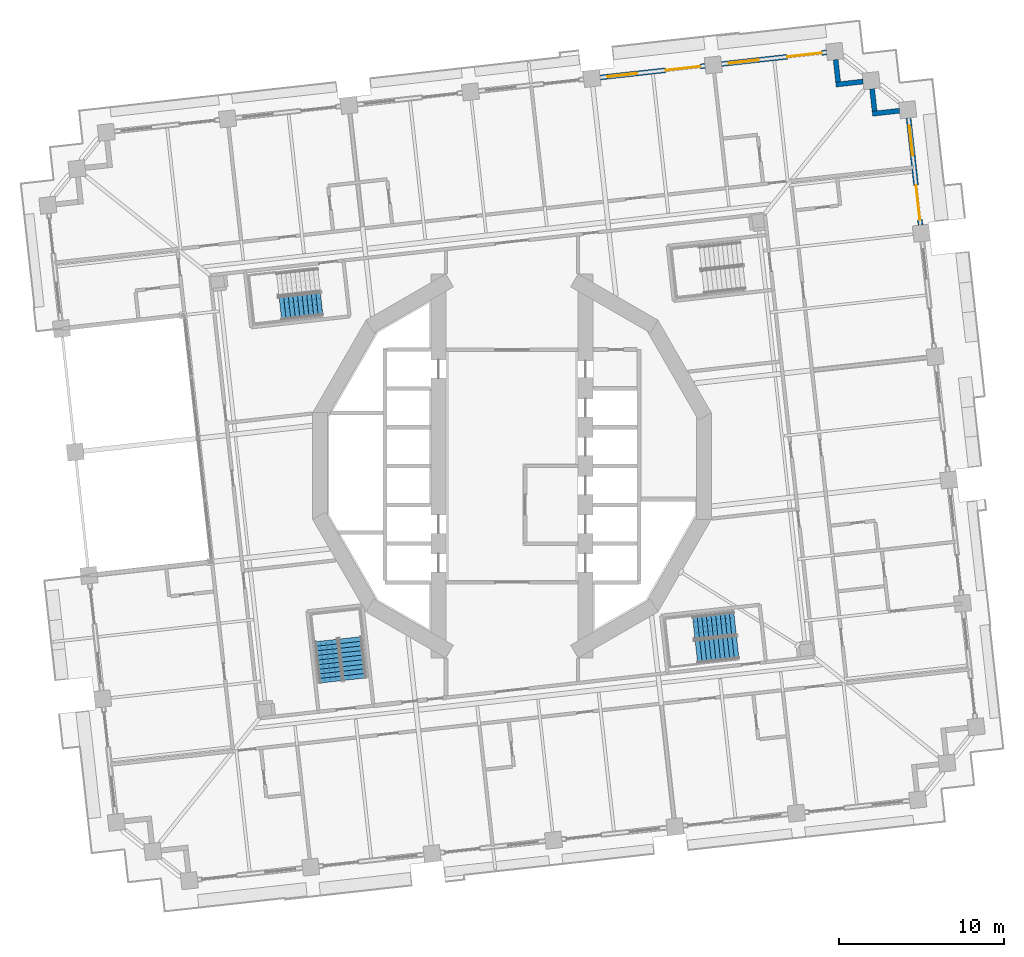
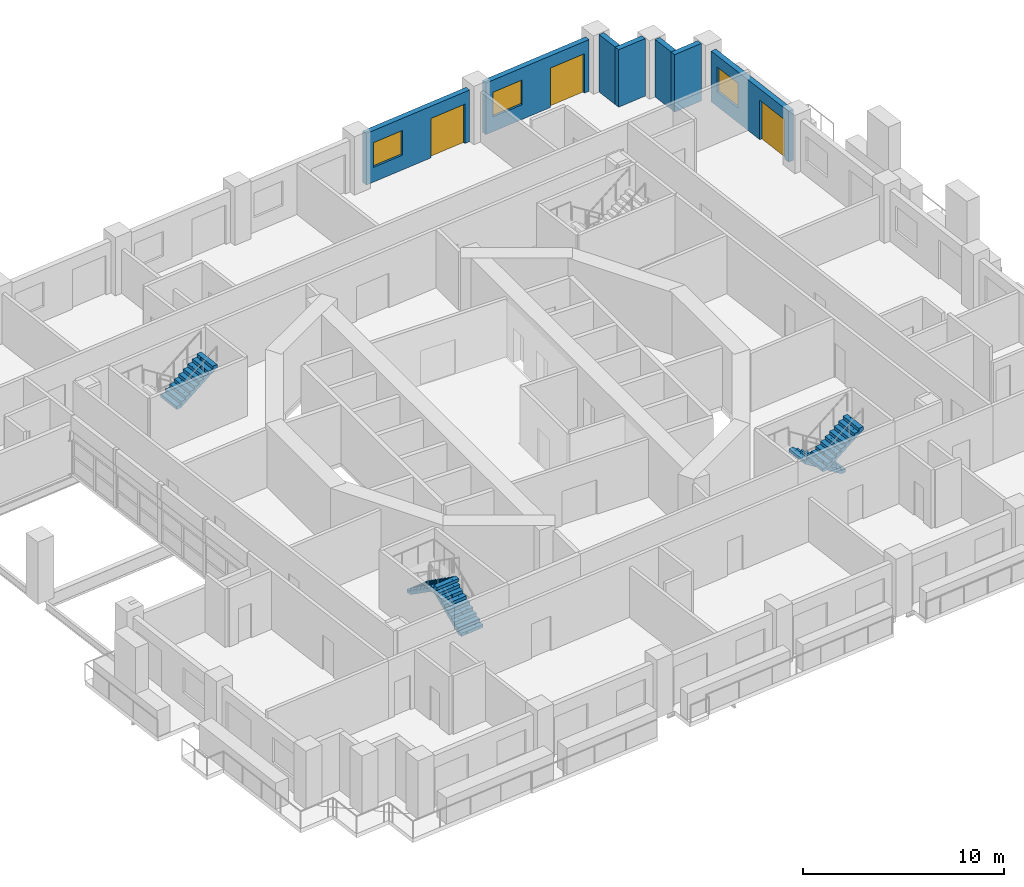
# One storey, part 13 of 21: 7 walls, 5 stair flights, 3 doors, 3 windows, 6 openings, 3 elements without a shape of their own.
"""IFC4 building model written with IfcOpenShell, lengths in metres."""

import ifcopenshell
import ifcopenshell.guid

model = None  # the IFC model being written
_history = None  # IfcOwnerHistory: only IFC2X3 demands one
_inside = {}  # id of a spatial element -> (the spatial element, [elements in it])
_under = {}  # id of a project, library or spatial element -> (it, [spatial elements below it])
_declared = {}  # id of a project -> (the project, [libraries it declares])
_typed = {}  # id of a type object -> (the type object, [elements of that type])
_made_of = {}  # id of a material, layer set ... -> (it, [elements and type objects made of it])


def new_model(schema):
    """Start an empty IFC model of exactly this schema.

    Asked for "IFC4X3", IfcOpenShell would pick the latest addendum, in which some entities
    have other attributes; the version numbers below select the first issue.
    IFC2X3 requires an IfcOwnerHistory on every rooted entity: one is made here for all.
    """
    global model, _history
    if schema == "IFC4X3":
        model = ifcopenshell.file(schema_version=(4, 3, 0, 0))
    else:
        model = ifcopenshell.file(schema=schema)
    _inside.clear()
    _under.clear()
    _declared.clear()
    _typed.clear()
    _made_of.clear()
    _history = None
    if model.schema == "IFC2X3":
        org = make("IfcOrganization", Name="unknown")
        user = make(
            "IfcPersonAndOrganization",
            ThePerson=make("IfcPerson", FamilyName="unknown"),
            TheOrganization=org,
        )
        app = make(
            "IfcApplication",
            ApplicationDeveloper=org,
            Version="unknown",
            ApplicationFullName="unknown",
            ApplicationIdentifier="unknown",
        )
        _history = make(
            "IfcOwnerHistory",
            OwningUser=user,
            OwningApplication=app,
            ChangeAction="ADDED",
            CreationDate=0,
        )
    return model


def make(cls, **values):
    """One entity of the class cls with the attributes given. An attribute that is None is left unset."""
    return model.create_entity(
        cls, **{name: value for name, value in values.items() if value is not None}
    )


def rooted(cls, **values):
    """An entity with a GlobalId (a new one), such as an element, a storey or a relation."""
    return make(cls, GlobalId=ifcopenshell.guid.new(), OwnerHistory=_history, **values)


def si_unit(unit_type, name, prefix=None):
    """IfcSIUnit, for example si_unit("LENGTHUNIT", "METRE", prefix="MILLI")."""
    return make("IfcSIUnit", UnitType=unit_type, Prefix=prefix, Name=name)


def assignment(units):
    """IfcUnitAssignment: the units of a project."""
    return None if units is None else make("IfcUnitAssignment", Units=units)


def point(xyz):
    """IfcCartesianPoint."""
    return None if xyz is None else make("IfcCartesianPoint", Coordinates=xyz)


def direction(xyz):
    """IfcDirection."""
    return None if xyz is None else make("IfcDirection", DirectionRatios=xyz)


def frame(location, z_axis=None, x_axis=None):
    """IfcAxis2Placement3D, a coordinate frame: its origin and axes. An axis left out is left unset."""
    return make(
        "IfcAxis2Placement3D",
        Location=point(location),
        Axis=direction(z_axis),
        RefDirection=direction(x_axis),
    )


def frame_2d(location, x_axis=None):
    """IfcAxis2Placement2D, a coordinate frame in the plane: its origin and x axis."""
    return make(
        "IfcAxis2Placement2D", Location=point(location), RefDirection=direction(x_axis)
    )


def origin():
    """The frame at (0, 0, 0) with its axes left unset."""
    return frame((0.0, 0.0, 0.0))


def place(relative_to, where):
    """IfcLocalPlacement: puts the frame where relative to a parent placement (None: the world)."""
    return make(
        "IfcLocalPlacement", PlacementRelTo=relative_to, RelativePlacement=where
    )


def context(
    kind, dimensions, precision=None, world=None, true_north=None, identifier=None
):
    """IfcGeometricRepresentationContext, for example the 3D "Model" context."""
    return make(
        "IfcGeometricRepresentationContext",
        ContextIdentifier=identifier,
        ContextType=kind,
        CoordinateSpaceDimension=dimensions,
        Precision=precision,
        WorldCoordinateSystem=world,
        TrueNorth=true_north,
    )


def subcontext(parent, identifier, kind, view, scale=None):
    """IfcGeometricRepresentationSubContext, for example "Body" below "Model"."""
    return make(
        "IfcGeometricRepresentationSubContext",
        ContextIdentifier=identifier,
        ContextType=kind,
        ParentContext=parent,
        TargetScale=scale,
        TargetView=view,
    )


def project(units=None, contexts=None):
    """IfcProject with its units and contexts."""
    return rooted(
        "IfcProject",
        Name="project",
        RepresentationContexts=contexts,
        UnitsInContext=assignment(units),
    )


def spatial(cls, under=None, at=None, **own):
    """A site, building, storey or space (cls), placed at a placement, below another one or the project."""
    s = rooted(cls, ObjectPlacement=at, **own)
    if under is not None:
        _under.setdefault(under.id(), (under, []))[1].append(s)
    return s


def polyline(points):
    """IfcPolyline through the points."""
    return make("IfcPolyline", Points=[point(p) for p in points])


def profile(cls, at=None, kind="AREA", **sizes):
    """A parametric profile (cls). Its sizes go by their IFC names, for example OverallWidth=200.0."""
    return make(cls, ProfileType=kind, Position=at, **sizes)


def rectangle(**sizes):
    """IfcRectangleProfileDef."""
    return profile("IfcRectangleProfileDef", **sizes)


def outline(outer, holes=None, kind="AREA"):
    """IfcArbitraryClosedProfileDef: a profile drawn as a closed curve; with holes, ...WithVoids."""
    if holes is None:
        return make("IfcArbitraryClosedProfileDef", ProfileType=kind, OuterCurve=outer)
    return make(
        "IfcArbitraryProfileDefWithVoids",
        ProfileType=kind,
        OuterCurve=outer,
        InnerCurves=holes,
    )


def extrude(swept, where, along, depth):
    """IfcExtrudedAreaSolid: the profile swept, set in the frame where, extruded along a direction by depth."""
    return make(
        "IfcExtrudedAreaSolid",
        SweptArea=swept,
        Position=where,
        ExtrudedDirection=direction(along),
        Depth=depth,
    )


def shape(context_of_items, identifier, shape_type, items):
    """IfcShapeRepresentation: the items that make up one representation, for example the "Body"."""
    return make(
        "IfcShapeRepresentation",
        ContextOfItems=context_of_items,
        RepresentationIdentifier=identifier,
        RepresentationType=shape_type,
        Items=items,
    )


def material(Name=None, Category=None):
    """IfcMaterial."""
    return make("IfcMaterial", Name=Name, Category=Category)


def layer(
    of_material, thickness, ventilated=None, Name=None, Category=None, Priority=None
):
    """IfcMaterialLayer: one layer of a wall or slab, of a material (None: an air gap)."""
    return make(
        "IfcMaterialLayer",
        Material=of_material,
        LayerThickness=thickness,
        IsVentilated=ventilated,
        Name=Name,
        Category=Category,
        Priority=Priority,
    )


def layer_set(layers, Name=None):
    """IfcMaterialLayerSet."""
    return make("IfcMaterialLayerSet", MaterialLayers=layers, LayerSetName=Name)


def made_of(thing, what):
    """Note that an element or type object is made of a material, layer set ...; save() writes the relation."""
    if what is not None:
        _made_of.setdefault(what.id(), (what, []))[1].append(thing)
    return thing


def type_object(cls, material=None, **own):
    """A type object (cls), such as IfcWallType, which elements share."""
    return made_of(rooted(cls, **own), material)


def element(
    cls,
    number,
    at=None,
    inside=None,
    cuts=None,
    type_object=None,
    material=None,
    context=None,
    identifier="Body",
    shape_type=None,
    held_by="IfcProductDefinitionShape",
    body=None,
    shapes=None,
    **own,
):
    """One element of the class cls, such as IfcWall. Its Tag is "e" and its number.

    at: its placement. inside: the storey or other place that contains it. cuts: it is an
    opening in that element (IfcRelVoidsElement). A single representation is given by context,
    identifier, shape_type and body (its items); several are given by shapes. held_by: the class
    of the entity that holds the representations. save() writes the other relations.
    """
    e = rooted(cls, Tag="e%d" % number, ObjectPlacement=at, **own)
    if body is not None:
        shapes = [shape(context, identifier, shape_type, body)]
    if shapes is not None:
        e.Representation = make(held_by, Representations=shapes)
    if inside is not None:
        _inside.setdefault(inside.id(), (inside, []))[1].append(e)
    if cuts is not None:
        rooted(
            "IfcRelVoidsElement", RelatingBuildingElement=cuts, RelatedOpeningElement=e
        )
    if type_object is not None:
        _typed.setdefault(type_object.id(), (type_object, []))[1].append(e)
    return made_of(e, material)


def fill(opening, filler):
    """IfcRelFillsElement: the door or window that sits in an opening."""
    return rooted(
        "IfcRelFillsElement",
        RelatingOpeningElement=opening,
        RelatedBuildingElement=filler,
    )


def aggregate(whole, parts):
    """IfcRelAggregates: a whole, such as a stair, and the parts it consists of."""
    return rooted("IfcRelAggregates", RelatingObject=whole, RelatedObjects=parts)


def save(model, path):
    """Write the relations noted so far, then the file.

    IfcRelAggregates (storeys below a building ...), IfcRelContainedInSpatialStructure (elements
    in a storey), IfcRelDefinesByType, IfcRelAssociatesMaterial and IfcRelDeclares: one each for
    every whole, place, type object, material and project.
    """
    for whole, parts in _under.values():
        aggregate(whole, parts)
    for where, things in _inside.values():
        rooted(
            "IfcRelContainedInSpatialStructure",
            RelatedElements=things,
            RelatingStructure=where,
        )
    for kind, things in _typed.values():
        rooted("IfcRelDefinesByType", RelatedObjects=things, RelatingType=kind)
    for what, things in _made_of.values():
        rooted("IfcRelAssociatesMaterial", RelatedObjects=things, RelatingMaterial=what)
    for by, libraries in _declared.values():
        rooted("IfcRelDeclares", RelatingContext=by, RelatedDefinitions=libraries)
    model.write(path)


model = new_model("IFC4")

# Units and contexts
model_context = context("Model", 3, precision=1e-05, world=origin(), true_north=direction((0.0, 1.0)))
body_context = subcontext(model_context, "Body", "Model", "MODEL_VIEW")
ifc_project = project(units=[si_unit("LENGTHUNIT", "METRE"), si_unit("AREAUNIT", "SQUARE_METRE"), si_unit("VOLUMEUNIT", "CUBIC_METRE"), si_unit("PLANEANGLEUNIT", "RADIAN"), si_unit("MASSUNIT", "GRAM", prefix="KILO")], contexts=[model_context])

# Site, building, storey
site_placement = place(None, origin())
site = spatial("IfcSite", under=ifc_project, at=site_placement, CompositionType="ELEMENT")
building_placement = place(site_placement, origin())
building = spatial("IfcBuilding", under=site, at=building_placement, Name="Cantera Rosa Tower", CompositionType="ELEMENT")
storey_placement = place(building_placement, frame((0.0, 0.0, 72.89990234375)))
storey = spatial("IfcBuildingStorey", under=building, at=storey_placement, Name="L15", CompositionType="ELEMENT", Elevation=72.89990234375)

# Walls
ifc_material_1 = material(Name="Hollow clay masonry with cantera stone cladding", Category="masonry")
ifc_layer_1 = layer(ifc_material_1, 0.300048828125)
ifc_layer_set_1 = layer_set([ifc_layer_1], Name="EW-LOGGIA 300")
wall_type_1 = type_object("IfcWallType", Name="EW-LOGGIA 300", PredefinedType="SOLIDWALL", material=ifc_layer_set_1)
wall_1_placement = place(storey_placement, frame((23.46923828125, 21.520263671875, 0.0), z_axis=(0.0, 0.0, 1.0), x_axis=(-0.993905369514, -0.110236638423, 0.0)))
element("IfcWall", 1, at=wall_1_placement, inside=storey, type_object=wall_type_1, Name="EN-L15-W06a", PredefinedType="SOLIDWALL", context=body_context, shape_type="SweptSolid", body=[
    extrude(rectangle(XDim=1.64990234375, YDim=0.300048828125, at=frame_2d((0.824951171875, 0.0))), origin(), (0.0, 0.0, 1.0), 3.5),
])
wall_2_placement = place(storey_placement, frame((21.9619140625, 21.50390625, 0.0), z_axis=(0.0, 0.0, 1.0), x_axis=(-0.110312435488, 0.993896959738, 0.0)))
element("IfcWall", 2, at=wall_2_placement, inside=storey, type_object=wall_type_1, Name="EN-L15-W06b", PredefinedType="SOLIDWALL", context=body_context, shape_type="SweptSolid", body=[
    extrude(rectangle(XDim=1.35009765625, YDim=0.300048828125, at=frame_2d((0.675048828125, 0.0))), origin(), (0.0, 0.0, 1.0), 3.5),
])
wall_3_placement = place(storey_placement, frame((21.2607421875, 23.287353515625, 0.0), z_axis=(0.0, 0.0, 1.0), x_axis=(-0.993905369514, -0.110236638423, 0.0)))
element("IfcWall", 3, at=wall_3_placement, inside=storey, type_object=wall_type_1, Name="EN-L15-W07a", PredefinedType="SOLIDWALL", context=body_context, shape_type="SweptSolid", body=[
    extrude(rectangle(XDim=1.64990234375, YDim=0.300048828125, at=frame_2d((0.824951171875, 0.0))), origin(), (0.0, 0.0, 1.0), 3.5),
])
wall_4_placement = place(storey_placement, frame((19.75341796875, 23.27099609375, 0.0), z_axis=(0.0, 0.0, 1.0), x_axis=(-0.110312435488, 0.993896959738, 0.0)))
element("IfcWall", 4, at=wall_4_placement, inside=storey, type_object=wall_type_1, Name="EN-L15-W07b", PredefinedType="SOLIDWALL", context=body_context, shape_type="SweptSolid", body=[
    extrude(rectangle(XDim=1.35009765625, YDim=0.300048828125, at=frame_2d((0.675048828125, 0.0))), origin(), (0.0, 0.0, 1.0), 3.5),
])

# Wall, openings, window, door
ifc_material_2 = material(Name="Hollow clay masonry with cantera stone cladding", Category="masonry")
ifc_layer_2 = layer(ifc_material_2, 0.300048828125)
ifc_layer_set_2 = layer_set([ifc_layer_2], Name="EW-LOGGIA 300 H3090")
wall_type_2 = type_object("IfcWallType", Name="EW-LOGGIA 300 H3090", PredefinedType="SOLIDWALL", material=ifc_layer_set_2)
wall_5_placement = place(storey_placement, frame((24.74072265625, 14.598388671875, 0.0), z_axis=(0.0, 0.0, 1.0), x_axis=(-0.110312341265, 0.993896970196, 0.0)))
wall_5 = element("IfcWall", 5, at=wall_5_placement, inside=storey, type_object=wall_type_2, Name="EN-L15-W05", PredefinedType="SOLIDWALL", context=body_context, shape_type="SweptSolid", body=[
    extrude(rectangle(XDim=6.52001953125, YDim=0.300048828125, at=frame_2d((3.260009765625, 0.0))), origin(), (0.0, 0.0, 1.0), 3.090087890625),
])
opening_1_placement = place(wall_5_placement, frame((0.330078125, 0.0, 0.0)))
opening_1 = element("IfcOpeningElement", 6, at=opening_1_placement, cuts=wall_5, Name="Opening L15-TD09", PredefinedType="OPENING", context=body_context, shape_type="SweptSolid", body=[
    extrude(rectangle(XDim=2.10009765625, YDim=2.39990234375, at=frame_2d((1.050048828125, 1.199951171875))), frame((0.0, 0.159912109375, 0.0), z_axis=(0.0, -1.0, 0.0), x_axis=(1.0, 0.0, 0.0)), (0.0, 0.0, 1.0), 0.320068359375),
])
opening_2_placement = place(wall_5_placement, frame((4.239990234375, 0.0, 0.89990234375)))
opening_2 = element("IfcOpeningElement", 7, at=opening_2_placement, cuts=wall_5, Name="Opening L15-W10", PredefinedType="OPENING", context=body_context, shape_type="SweptSolid", body=[
    extrude(rectangle(XDim=1.800048828125, YDim=1.5, at=frame_2d((0.89990234375, 0.75))), frame((0.0, 0.159912109375, 0.0), z_axis=(0.0, -1.0, 0.0), x_axis=(1.0, 0.0, 0.0)), (0.0, 0.0, 1.0), 0.320068359375),
])
ifc_material_3 = material(Name="Aluminium frame with clear glass", Category="aluminium")
window_type = type_object("IfcWindowType", Name="Hotel room window 1800x1500", PartitioningType="DOUBLE_PANEL_VERTICAL", PredefinedType="WINDOW", material=ifc_material_3)
window_1_placement = place(opening_2_placement, origin())
window_1 = element("IfcWindow", 8, at=window_1_placement, inside=storey, type_object=window_type, Name="WINDOW L15-W10", OverallHeight=1.5, OverallWidth=1.800048828125, PartitioningType="SINGLE_PANEL", PredefinedType="WINDOW", context=body_context, shape_type="SweptSolid", body=[
    extrude(rectangle(XDim=1.800048828125, YDim=1.5, at=frame_2d((0.89990234375, 0.75))), frame((0.0, 0.030029296875, 0.0), z_axis=(0.0, -1.0, 0.0), x_axis=(1.0, 0.0, 0.0)), (0.0, 0.0, 1.0), 0.06005859375),
])
fill(opening_2, window_1)
ifc_material_4 = material(Name="Aluminium frame with clear glass", Category="aluminium")
door_type = type_object("IfcDoorType", Name="TD-H 2100x2400", OperationType="NOTDEFINED", PredefinedType="DOOR", material=ifc_material_4)
door_1_placement = place(opening_1_placement, origin())
door_1 = element("IfcDoor", 9, at=door_1_placement, inside=storey, type_object=door_type, Name="LOGGIA DOOR L15-TD09", OperationType="SLIDING_TO_LEFT", OverallHeight=2.39990234375, OverallWidth=2.10009765625, PredefinedType="DOOR", context=body_context, shape_type="SweptSolid", body=[
    extrude(rectangle(XDim=2.10009765625, YDim=2.39990234375, at=frame_2d((1.050048828125, 1.199951171875))), frame((0.0, 0.02490234375, 0.0), z_axis=(0.0, -1.0, 0.0), x_axis=(1.0, 0.0, 0.0)), (0.0, 0.0, 1.0), 0.050048828125),
])
fill(opening_1, door_1)

ifc_material_5 = material(Name="Hollow clay masonry with cantera stone cladding", Category="masonry")
ifc_layer_3 = layer(ifc_material_5, 0.300048828125)
ifc_layer_set_3 = layer_set([ifc_layer_3], Name="EW-LOGGIA 300 H3140")
wall_type_3 = type_object("IfcWallType", Name="EW-LOGGIA 300 H3140", PredefinedType="SOLIDWALL", material=ifc_layer_set_3)
wall_6_placement = place(storey_placement, frame((19.052490234375, 25.0546875, 0.0), z_axis=(0.0, 0.0, 1.0), x_axis=(-0.993896288542, -0.110318482689, 0.0)))
wall_6 = element("IfcWall", 10, at=wall_6_placement, inside=storey, type_object=wall_type_3, Name="EN-L15-W08", PredefinedType="SOLIDWALL", context=body_context, shape_type="SweptSolid", body=[
    extrude(rectangle(XDim=6.400146484375, YDim=0.300048828125, at=frame_2d((3.2001953125, 0.0))), origin(), (0.0, 0.0, 1.0), 3.14013671875),
])
opening_3_placement = place(wall_6_placement, frame((0.300048828125, 0.0, 0.0)))
opening_3 = element("IfcOpeningElement", 11, at=opening_3_placement, cuts=wall_6, Name="Opening L15-TD11", PredefinedType="OPENING", context=body_context, shape_type="SweptSolid", body=[
    extrude(rectangle(XDim=2.10009765625, YDim=2.39990234375, at=frame_2d((1.050048828125, 1.199951171875))), frame((0.0, 0.159912109375, 0.0), z_axis=(0.0, -1.0, 0.0), x_axis=(1.0, 0.0, 0.0)), (0.0, 0.0, 1.0), 0.320068359375),
])
opening_4_placement = place(wall_6_placement, frame((4.14990234375, 0.0, 0.89990234375)))
opening_4 = element("IfcOpeningElement", 12, at=opening_4_placement, cuts=wall_6, Name="Opening L15-W12", PredefinedType="OPENING", context=body_context, shape_type="SweptSolid", body=[
    extrude(rectangle(XDim=1.800048828125, YDim=1.5, at=frame_2d((0.89990234375, 0.75))), frame((0.0, 0.159912109375, 0.0), z_axis=(0.0, -1.0, 0.0), x_axis=(1.0, 0.0, 0.0)), (0.0, 0.0, 1.0), 0.320068359375),
])
window_2_placement = place(opening_4_placement, origin())
window_2 = element("IfcWindow", 13, at=window_2_placement, inside=storey, type_object=window_type, Name="WINDOW L15-W12", OverallHeight=1.5, OverallWidth=1.800048828125, PartitioningType="SINGLE_PANEL", PredefinedType="WINDOW", context=body_context, shape_type="SweptSolid", body=[
    extrude(rectangle(XDim=1.800048828125, YDim=1.5, at=frame_2d((0.89990234375, 0.75))), frame((0.0, 0.030029296875, 0.0), z_axis=(0.0, -1.0, 0.0), x_axis=(1.0, 0.0, 0.0)), (0.0, 0.0, 1.0), 0.06005859375),
])
fill(opening_4, window_2)
door_2_placement = place(opening_3_placement, origin())
door_2 = element("IfcDoor", 14, at=door_2_placement, inside=storey, type_object=door_type, Name="LOGGIA DOOR L15-TD11", OperationType="SLIDING_TO_LEFT", OverallHeight=2.39990234375, OverallWidth=2.10009765625, PredefinedType="DOOR", context=body_context, shape_type="SweptSolid", body=[
    extrude(rectangle(XDim=2.10009765625, YDim=2.39990234375, at=frame_2d((1.050048828125, 1.199951171875))), frame((0.0, 0.02490234375, 0.0), z_axis=(0.0, -1.0, 0.0), x_axis=(1.0, 0.0, 0.0)), (0.0, 0.0, 1.0), 0.050048828125),
])
fill(opening_3, door_2)

wall_7_placement = place(storey_placement, frame((11.697509765625, 24.23828125, 0.0), z_axis=(0.0, 0.0, 1.0), x_axis=(-0.993895824271, -0.110322665379, 0.0)))
wall_7 = element("IfcWall", 15, at=wall_7_placement, inside=storey, type_object=wall_type_3, Name="EN-L15-W09", PredefinedType="SOLIDWALL", context=body_context, shape_type="SweptSolid", body=[
    extrude(rectangle(XDim=6.39990234375, YDim=0.300048828125, at=frame_2d((3.199951171875, 0.0))), origin(), (0.0, 0.0, 1.0), 3.14013671875),
])
opening_5_placement = place(wall_7_placement, frame((0.300048828125, 0.0, 0.0)))
opening_5 = element("IfcOpeningElement", 16, at=opening_5_placement, cuts=wall_7, Name="Opening L15-TD13", PredefinedType="OPENING", context=body_context, shape_type="SweptSolid", body=[
    extrude(rectangle(XDim=2.10009765625, YDim=2.39990234375, at=frame_2d((1.050048828125, 1.199951171875))), frame((0.0, 0.159912109375, 0.0), z_axis=(0.0, -1.0, 0.0), x_axis=(1.0, 0.0, 0.0)), (0.0, 0.0, 1.0), 0.320068359375),
])
opening_6_placement = place(wall_7_placement, frame((4.14990234375, 0.0, 0.89990234375)))
opening_6 = element("IfcOpeningElement", 17, at=opening_6_placement, cuts=wall_7, Name="Opening L15-W14", PredefinedType="OPENING", context=body_context, shape_type="SweptSolid", body=[
    extrude(rectangle(XDim=1.800048828125, YDim=1.5, at=frame_2d((0.89990234375, 0.75))), frame((0.0, 0.159912109375, 0.0), z_axis=(0.0, -1.0, 0.0), x_axis=(1.0, 0.0, 0.0)), (0.0, 0.0, 1.0), 0.320068359375),
])
window_3_placement = place(opening_6_placement, origin())
window_3 = element("IfcWindow", 18, at=window_3_placement, inside=storey, type_object=window_type, Name="WINDOW L15-W14", OverallHeight=1.5, OverallWidth=1.800048828125, PartitioningType="SINGLE_PANEL", PredefinedType="WINDOW", context=body_context, shape_type="SweptSolid", body=[
    extrude(rectangle(XDim=1.800048828125, YDim=1.5, at=frame_2d((0.89990234375, 0.75))), frame((0.0, 0.030029296875, 0.0), z_axis=(0.0, -1.0, 0.0), x_axis=(1.0, 0.0, 0.0)), (0.0, 0.0, 1.0), 0.06005859375),
])
fill(opening_6, window_3)
door_3_placement = place(opening_5_placement, origin())
door_3 = element("IfcDoor", 19, at=door_3_placement, inside=storey, type_object=door_type, Name="LOGGIA DOOR L15-TD13", OperationType="SLIDING_TO_LEFT", OverallHeight=2.39990234375, OverallWidth=2.10009765625, PredefinedType="DOOR", context=body_context, shape_type="SweptSolid", body=[
    extrude(rectangle(XDim=2.10009765625, YDim=2.39990234375, at=frame_2d((1.050048828125, 1.199951171875))), frame((0.0, 0.02490234375, 0.0), z_axis=(0.0, -1.0, 0.0), x_axis=(1.0, 0.0, 0.0)), (0.0, 0.0, 1.0), 0.050048828125),
])
fill(opening_5, door_3)

# Stair, stair flight
ifc_material_6 = material(Name="Concrete C35/45", Category="concrete")
stair_type = type_object("IfcStairType", Name="EXIT STAIR 1350 DOGLEG", PredefinedType="HALF_TURN_STAIR", material=ifc_material_6)
stair_1_placement = place(storey_placement, origin())
stair_1 = element("IfcStair", 20, at=stair_1_placement, inside=storey, type_object=stair_type, Name="L15 ST-12", PredefinedType="HALF_TURN_STAIR")
ifc_material_7 = material(Name="Concrete C35/45", Category="concrete")
stair_flight_type = type_object("IfcStairFlightType", Name="STAIR FLIGHT 1350 R20x190", PredefinedType="STRAIGHT", material=ifc_material_7)
stair_flight_1_placement = place(storey_placement, frame((-14.030517578125, 9.531005859375, 1.900146484375), z_axis=(0.0, 0.0, 1.0), x_axis=(0.993896947056, 0.110312549749, 0.0)))
stair_flight_1 = element("IfcStairFlight", 21, at=stair_flight_1_placement, type_object=stair_flight_type, Name="ST-12 flight 2", NumberOfRisers=10, NumberOfTreads=9, PredefinedType="STRAIGHT", RiserHeight=0.19, TreadLength=0.28, context=body_context, shape_type="SweptSolid", body=[
    extrude(outline(polyline([(0.0, 0.0), (0.0, 0.18994140625), (0.280029296875, 0.18994140625), (0.280029296875, 0.3798828125), (0.56005859375, 0.3798828125), (0.56005859375, 0.570068359375), (0.840087890625, 0.570068359375), (0.840087890625, 0.760009765625), (1.1201171875, 0.760009765625), (1.1201171875, 0.949951171875), (1.39990234375, 0.949951171875), (1.39990234375, 1.139892578125), (1.679931640625, 1.139892578125), (1.679931640625, 1.330078125), (1.9599609375, 1.330078125), (1.9599609375, 1.52001953125), (2.239990234375, 1.52001953125), (2.239990234375, 1.7099609375), (2.52001953125, 1.7099609375), (2.52001953125, 1.89990234375), (2.52001953125, 1.52880859375), (0.266845703125, 0.0), (0.0, 0.0)])), frame((0.0, 0.675048828125, 0.0), z_axis=(0.0, -1.0, 0.0), x_axis=(1.0, 0.0, 0.0)), (0.0, 0.0, 1.0), 0.3359375),
    extrude(outline(polyline([(0.0, 0.0), (0.0, 0.18994140625), (0.280029296875, 0.18994140625), (0.280029296875, 0.3798828125), (0.56005859375, 0.3798828125), (0.56005859375, 0.570068359375), (0.840087890625, 0.570068359375), (0.840087890625, 0.760009765625), (1.1201171875, 0.760009765625), (1.1201171875, 0.949951171875), (1.39990234375, 0.949951171875), (1.39990234375, 1.139892578125), (1.679931640625, 1.139892578125), (1.679931640625, 1.330078125), (1.9599609375, 1.330078125), (1.9599609375, 1.52001953125), (2.239990234375, 1.52001953125), (2.239990234375, 1.7099609375), (2.52001953125, 1.7099609375), (2.52001953125, 1.89990234375), (2.52001953125, 1.52880859375), (0.266845703125, 0.0), (0.0, 0.0)])), frame((0.0, 0.337158203125, 0.0), z_axis=(0.0, -1.0, 0.0), x_axis=(1.0, 0.0, 0.0)), (0.0, 0.0, 1.0), 0.3359375),
    extrude(outline(polyline([(0.0, 0.0), (0.0, 0.18994140625), (0.280029296875, 0.18994140625), (0.280029296875, 0.3798828125), (0.56005859375, 0.3798828125), (0.56005859375, 0.570068359375), (0.840087890625, 0.570068359375), (0.840087890625, 0.760009765625), (1.1201171875, 0.760009765625), (1.1201171875, 0.949951171875), (1.39990234375, 0.949951171875), (1.39990234375, 1.139892578125), (1.679931640625, 1.139892578125), (1.679931640625, 1.330078125), (1.9599609375, 1.330078125), (1.9599609375, 1.52001953125), (2.239990234375, 1.52001953125), (2.239990234375, 1.7099609375), (2.52001953125, 1.7099609375), (2.52001953125, 1.89990234375), (2.52001953125, 1.52880859375), (0.266845703125, 0.0), (0.0, 0.0)])), frame((0.0, -0.000732421875, 0.0), z_axis=(0.0, -1.0, 0.0), x_axis=(1.0, 0.0, 0.0)), (0.0, 0.0, 1.0), 0.3359375),
    extrude(outline(polyline([(0.0, 0.0), (0.0, 0.18994140625), (0.280029296875, 0.18994140625), (0.280029296875, 0.3798828125), (0.56005859375, 0.3798828125), (0.56005859375, 0.570068359375), (0.840087890625, 0.570068359375), (0.840087890625, 0.760009765625), (1.1201171875, 0.760009765625), (1.1201171875, 0.949951171875), (1.39990234375, 0.949951171875), (1.39990234375, 1.139892578125), (1.679931640625, 1.139892578125), (1.679931640625, 1.330078125), (1.9599609375, 1.330078125), (1.9599609375, 1.52001953125), (2.239990234375, 1.52001953125), (2.239990234375, 1.7099609375), (2.52001953125, 1.7099609375), (2.52001953125, 1.89990234375), (2.52001953125, 1.52880859375), (0.266845703125, 0.0), (0.0, 0.0)])), frame((0.0, -0.338623046875, 0.0), z_axis=(0.0, -1.0, 0.0), x_axis=(1.0, 0.0, 0.0)), (0.0, 0.0, 1.0), 0.3359375),
])
aggregate(stair_1, [stair_flight_1])

# Stair, stair flights
stair_2_placement = place(storey_placement, origin())
stair_2 = element("IfcStair", 22, at=stair_2_placement, inside=storey, type_object=stair_type, Name="L15 ST-13", PredefinedType="HALF_TURN_STAIR")
stair_flight_2_placement = place(storey_placement, frame((-9.500244140625, -12.90869140625, 0.0), z_axis=(0.0, 0.0, 1.0), x_axis=(-0.110312549749, 0.993896947056, 0.0)))
stair_flight_2 = element("IfcStairFlight", 23, at=stair_flight_2_placement, type_object=stair_flight_type, Name="ST-13 flight 1", NumberOfRisers=10, NumberOfTreads=9, PredefinedType="STRAIGHT", RiserHeight=0.19, TreadLength=0.28, context=body_context, shape_type="SweptSolid", body=[
    extrude(outline(polyline([(0.0, 0.0), (0.0, 0.18994140625), (0.280029296875, 0.18994140625), (0.280029296875, 0.3798828125), (0.56005859375, 0.3798828125), (0.56005859375, 0.570068359375), (0.840087890625, 0.570068359375), (0.840087890625, 0.760009765625), (1.1201171875, 0.760009765625), (1.1201171875, 0.949951171875), (1.39990234375, 0.949951171875), (1.39990234375, 1.139892578125), (1.679931640625, 1.139892578125), (1.679931640625, 1.330078125), (1.9599609375, 1.330078125), (1.9599609375, 1.52001953125), (2.239990234375, 1.52001953125), (2.239990234375, 1.7099609375), (2.52001953125, 1.7099609375), (2.52001953125, 1.89990234375), (2.52001953125, 1.52880859375), (0.266845703125, 0.0), (0.0, 0.0)])), frame((0.0, 0.675048828125, 0.0), z_axis=(0.0, -1.0, 0.0), x_axis=(1.0, 0.0, 0.0)), (0.0, 0.0, 1.0), 0.3359375),
    extrude(outline(polyline([(0.0, 0.0), (0.0, 0.18994140625), (0.280029296875, 0.18994140625), (0.280029296875, 0.3798828125), (0.56005859375, 0.3798828125), (0.56005859375, 0.570068359375), (0.840087890625, 0.570068359375), (0.840087890625, 0.760009765625), (1.1201171875, 0.760009765625), (1.1201171875, 0.949951171875), (1.39990234375, 0.949951171875), (1.39990234375, 1.139892578125), (1.679931640625, 1.139892578125), (1.679931640625, 1.330078125), (1.9599609375, 1.330078125), (1.9599609375, 1.52001953125), (2.239990234375, 1.52001953125), (2.239990234375, 1.7099609375), (2.52001953125, 1.7099609375), (2.52001953125, 1.89990234375), (2.52001953125, 1.52880859375), (0.266845703125, 0.0), (0.0, 0.0)])), frame((0.0, 0.337158203125, 0.0), z_axis=(0.0, -1.0, 0.0), x_axis=(1.0, 0.0, 0.0)), (0.0, 0.0, 1.0), 0.3359375),
    extrude(outline(polyline([(0.0, 0.0), (0.0, 0.18994140625), (0.280029296875, 0.18994140625), (0.280029296875, 0.3798828125), (0.56005859375, 0.3798828125), (0.56005859375, 0.570068359375), (0.840087890625, 0.570068359375), (0.840087890625, 0.760009765625), (1.1201171875, 0.760009765625), (1.1201171875, 0.949951171875), (1.39990234375, 0.949951171875), (1.39990234375, 1.139892578125), (1.679931640625, 1.139892578125), (1.679931640625, 1.330078125), (1.9599609375, 1.330078125), (1.9599609375, 1.52001953125), (2.239990234375, 1.52001953125), (2.239990234375, 1.7099609375), (2.52001953125, 1.7099609375), (2.52001953125, 1.89990234375), (2.52001953125, 1.52880859375), (0.266845703125, 0.0), (0.0, 0.0)])), frame((0.0, -0.000732421875, 0.0), z_axis=(0.0, -1.0, 0.0), x_axis=(1.0, 0.0, 0.0)), (0.0, 0.0, 1.0), 0.3359375),
    extrude(outline(polyline([(0.0, 0.0), (0.0, 0.18994140625), (0.280029296875, 0.18994140625), (0.280029296875, 0.3798828125), (0.56005859375, 0.3798828125), (0.56005859375, 0.570068359375), (0.840087890625, 0.570068359375), (0.840087890625, 0.760009765625), (1.1201171875, 0.760009765625), (1.1201171875, 0.949951171875), (1.39990234375, 0.949951171875), (1.39990234375, 1.139892578125), (1.679931640625, 1.139892578125), (1.679931640625, 1.330078125), (1.9599609375, 1.330078125), (1.9599609375, 1.52001953125), (2.239990234375, 1.52001953125), (2.239990234375, 1.7099609375), (2.52001953125, 1.7099609375), (2.52001953125, 1.89990234375), (2.52001953125, 1.52880859375), (0.266845703125, 0.0), (0.0, 0.0)])), frame((0.0, -0.338623046875, 0.0), z_axis=(0.0, -1.0, 0.0), x_axis=(1.0, 0.0, 0.0)), (0.0, 0.0, 1.0), 0.3359375),
])
stair_flight_3_placement = place(storey_placement, frame((-11.26904296875, -10.569580078125, 1.900146484375), z_axis=(0.0, 0.0, 1.0), x_axis=(0.110312549749, -0.993896947056, 0.0)))
stair_flight_3 = element("IfcStairFlight", 24, at=stair_flight_3_placement, type_object=stair_flight_type, Name="ST-13 flight 2", NumberOfRisers=10, NumberOfTreads=9, PredefinedType="STRAIGHT", RiserHeight=0.19, TreadLength=0.28, context=body_context, shape_type="SweptSolid", body=[
    extrude(outline(polyline([(0.0, 0.0), (0.0, 0.18994140625), (0.280029296875, 0.18994140625), (0.280029296875, 0.3798828125), (0.56005859375, 0.3798828125), (0.56005859375, 0.570068359375), (0.840087890625, 0.570068359375), (0.840087890625, 0.760009765625), (1.1201171875, 0.760009765625), (1.1201171875, 0.949951171875), (1.39990234375, 0.949951171875), (1.39990234375, 1.139892578125), (1.679931640625, 1.139892578125), (1.679931640625, 1.330078125), (1.9599609375, 1.330078125), (1.9599609375, 1.52001953125), (2.239990234375, 1.52001953125), (2.239990234375, 1.7099609375), (2.52001953125, 1.7099609375), (2.52001953125, 1.89990234375), (2.52001953125, 1.52880859375), (0.266845703125, 0.0), (0.0, 0.0)])), frame((0.0, 0.675048828125, 0.0), z_axis=(0.0, -1.0, 0.0), x_axis=(1.0, 0.0, 0.0)), (0.0, 0.0, 1.0), 0.3359375),
    extrude(outline(polyline([(0.0, 0.0), (0.0, 0.18994140625), (0.280029296875, 0.18994140625), (0.280029296875, 0.3798828125), (0.56005859375, 0.3798828125), (0.56005859375, 0.570068359375), (0.840087890625, 0.570068359375), (0.840087890625, 0.760009765625), (1.1201171875, 0.760009765625), (1.1201171875, 0.949951171875), (1.39990234375, 0.949951171875), (1.39990234375, 1.139892578125), (1.679931640625, 1.139892578125), (1.679931640625, 1.330078125), (1.9599609375, 1.330078125), (1.9599609375, 1.52001953125), (2.239990234375, 1.52001953125), (2.239990234375, 1.7099609375), (2.52001953125, 1.7099609375), (2.52001953125, 1.89990234375), (2.52001953125, 1.52880859375), (0.266845703125, 0.0), (0.0, 0.0)])), frame((0.0, 0.337158203125, 0.0), z_axis=(0.0, -1.0, 0.0), x_axis=(1.0, 0.0, 0.0)), (0.0, 0.0, 1.0), 0.3359375),
    extrude(outline(polyline([(0.0, 0.0), (0.0, 0.18994140625), (0.280029296875, 0.18994140625), (0.280029296875, 0.3798828125), (0.56005859375, 0.3798828125), (0.56005859375, 0.570068359375), (0.840087890625, 0.570068359375), (0.840087890625, 0.760009765625), (1.1201171875, 0.760009765625), (1.1201171875, 0.949951171875), (1.39990234375, 0.949951171875), (1.39990234375, 1.139892578125), (1.679931640625, 1.139892578125), (1.679931640625, 1.330078125), (1.9599609375, 1.330078125), (1.9599609375, 1.52001953125), (2.239990234375, 1.52001953125), (2.239990234375, 1.7099609375), (2.52001953125, 1.7099609375), (2.52001953125, 1.89990234375), (2.52001953125, 1.52880859375), (0.266845703125, 0.0), (0.0, 0.0)])), frame((0.0, -0.000732421875, 0.0), z_axis=(0.0, -1.0, 0.0), x_axis=(1.0, 0.0, 0.0)), (0.0, 0.0, 1.0), 0.3359375),
    extrude(outline(polyline([(0.0, 0.0), (0.0, 0.18994140625), (0.280029296875, 0.18994140625), (0.280029296875, 0.3798828125), (0.56005859375, 0.3798828125), (0.56005859375, 0.570068359375), (0.840087890625, 0.570068359375), (0.840087890625, 0.760009765625), (1.1201171875, 0.760009765625), (1.1201171875, 0.949951171875), (1.39990234375, 0.949951171875), (1.39990234375, 1.139892578125), (1.679931640625, 1.139892578125), (1.679931640625, 1.330078125), (1.9599609375, 1.330078125), (1.9599609375, 1.52001953125), (2.239990234375, 1.52001953125), (2.239990234375, 1.7099609375), (2.52001953125, 1.7099609375), (2.52001953125, 1.89990234375), (2.52001953125, 1.52880859375), (0.266845703125, 0.0), (0.0, 0.0)])), frame((0.0, -0.338623046875, 0.0), z_axis=(0.0, -1.0, 0.0), x_axis=(1.0, 0.0, 0.0)), (0.0, 0.0, 1.0), 0.3359375),
])
aggregate(stair_2, [stair_flight_2, stair_flight_3])

stair_3_placement = place(storey_placement, origin())
stair_3 = element("IfcStair", 25, at=stair_3_placement, inside=storey, type_object=stair_type, Name="L15 ST-14", PredefinedType="HALF_TURN_STAIR")
stair_flight_4_placement = place(storey_placement, frame((13.5087890625, -9.500244140625, 0.0), z_axis=(0.0, 0.0, 1.0), x_axis=(-0.993896947056, -0.110312549749, 0.0)))
stair_flight_4 = element("IfcStairFlight", 26, at=stair_flight_4_placement, type_object=stair_flight_type, Name="ST-14 flight 1", NumberOfRisers=10, NumberOfTreads=9, PredefinedType="STRAIGHT", RiserHeight=0.19, TreadLength=0.28, context=body_context, shape_type="SweptSolid", body=[
    extrude(outline(polyline([(0.0, 0.0), (0.0, 0.18994140625), (0.280029296875, 0.18994140625), (0.280029296875, 0.3798828125), (0.56005859375, 0.3798828125), (0.56005859375, 0.570068359375), (0.840087890625, 0.570068359375), (0.840087890625, 0.760009765625), (1.1201171875, 0.760009765625), (1.1201171875, 0.949951171875), (1.39990234375, 0.949951171875), (1.39990234375, 1.139892578125), (1.679931640625, 1.139892578125), (1.679931640625, 1.330078125), (1.9599609375, 1.330078125), (1.9599609375, 1.52001953125), (2.239990234375, 1.52001953125), (2.239990234375, 1.7099609375), (2.52001953125, 1.7099609375), (2.52001953125, 1.89990234375), (2.52001953125, 1.52880859375), (0.266845703125, 0.0), (0.0, 0.0)])), frame((0.0, 0.675048828125, 0.0), z_axis=(0.0, -1.0, 0.0), x_axis=(1.0, 0.0, 0.0)), (0.0, 0.0, 1.0), 0.3359375),
    extrude(outline(polyline([(0.0, 0.0), (0.0, 0.18994140625), (0.280029296875, 0.18994140625), (0.280029296875, 0.3798828125), (0.56005859375, 0.3798828125), (0.56005859375, 0.570068359375), (0.840087890625, 0.570068359375), (0.840087890625, 0.760009765625), (1.1201171875, 0.760009765625), (1.1201171875, 0.949951171875), (1.39990234375, 0.949951171875), (1.39990234375, 1.139892578125), (1.679931640625, 1.139892578125), (1.679931640625, 1.330078125), (1.9599609375, 1.330078125), (1.9599609375, 1.52001953125), (2.239990234375, 1.52001953125), (2.239990234375, 1.7099609375), (2.52001953125, 1.7099609375), (2.52001953125, 1.89990234375), (2.52001953125, 1.52880859375), (0.266845703125, 0.0), (0.0, 0.0)])), frame((0.0, 0.337158203125, 0.0), z_axis=(0.0, -1.0, 0.0), x_axis=(1.0, 0.0, 0.0)), (0.0, 0.0, 1.0), 0.3359375),
    extrude(outline(polyline([(0.0, 0.0), (0.0, 0.18994140625), (0.280029296875, 0.18994140625), (0.280029296875, 0.3798828125), (0.56005859375, 0.3798828125), (0.56005859375, 0.570068359375), (0.840087890625, 0.570068359375), (0.840087890625, 0.760009765625), (1.1201171875, 0.760009765625), (1.1201171875, 0.949951171875), (1.39990234375, 0.949951171875), (1.39990234375, 1.139892578125), (1.679931640625, 1.139892578125), (1.679931640625, 1.330078125), (1.9599609375, 1.330078125), (1.9599609375, 1.52001953125), (2.239990234375, 1.52001953125), (2.239990234375, 1.7099609375), (2.52001953125, 1.7099609375), (2.52001953125, 1.89990234375), (2.52001953125, 1.52880859375), (0.266845703125, 0.0), (0.0, 0.0)])), frame((0.0, -0.000732421875, 0.0), z_axis=(0.0, -1.0, 0.0), x_axis=(1.0, 0.0, 0.0)), (0.0, 0.0, 1.0), 0.3359375),
    extrude(outline(polyline([(0.0, 0.0), (0.0, 0.18994140625), (0.280029296875, 0.18994140625), (0.280029296875, 0.3798828125), (0.56005859375, 0.3798828125), (0.56005859375, 0.570068359375), (0.840087890625, 0.570068359375), (0.840087890625, 0.760009765625), (1.1201171875, 0.760009765625), (1.1201171875, 0.949951171875), (1.39990234375, 0.949951171875), (1.39990234375, 1.139892578125), (1.679931640625, 1.139892578125), (1.679931640625, 1.330078125), (1.9599609375, 1.330078125), (1.9599609375, 1.52001953125), (2.239990234375, 1.52001953125), (2.239990234375, 1.7099609375), (2.52001953125, 1.7099609375), (2.52001953125, 1.89990234375), (2.52001953125, 1.52880859375), (0.266845703125, 0.0), (0.0, 0.0)])), frame((0.0, -0.338623046875, 0.0), z_axis=(0.0, -1.0, 0.0), x_axis=(1.0, 0.0, 0.0)), (0.0, 0.0, 1.0), 0.3359375),
])
stair_flight_5_placement = place(storey_placement, frame((11.169677734375, -11.26904296875, 1.900146484375), z_axis=(0.0, 0.0, 1.0), x_axis=(0.993896947056, 0.110312549749, 0.0)))
stair_flight_5 = element("IfcStairFlight", 27, at=stair_flight_5_placement, type_object=stair_flight_type, Name="ST-14 flight 2", NumberOfRisers=10, NumberOfTreads=9, PredefinedType="STRAIGHT", RiserHeight=0.19, TreadLength=0.28, context=body_context, shape_type="SweptSolid", body=[
    extrude(outline(polyline([(0.0, 0.0), (0.0, 0.18994140625), (0.280029296875, 0.18994140625), (0.280029296875, 0.3798828125), (0.56005859375, 0.3798828125), (0.56005859375, 0.570068359375), (0.840087890625, 0.570068359375), (0.840087890625, 0.760009765625), (1.1201171875, 0.760009765625), (1.1201171875, 0.949951171875), (1.39990234375, 0.949951171875), (1.39990234375, 1.139892578125), (1.679931640625, 1.139892578125), (1.679931640625, 1.330078125), (1.9599609375, 1.330078125), (1.9599609375, 1.52001953125), (2.239990234375, 1.52001953125), (2.239990234375, 1.7099609375), (2.52001953125, 1.7099609375), (2.52001953125, 1.89990234375), (2.52001953125, 1.52880859375), (0.266845703125, 0.0), (0.0, 0.0)])), frame((0.0, 0.675048828125, 0.0), z_axis=(0.0, -1.0, 0.0), x_axis=(1.0, 0.0, 0.0)), (0.0, 0.0, 1.0), 0.3359375),
    extrude(outline(polyline([(0.0, 0.0), (0.0, 0.18994140625), (0.280029296875, 0.18994140625), (0.280029296875, 0.3798828125), (0.56005859375, 0.3798828125), (0.56005859375, 0.570068359375), (0.840087890625, 0.570068359375), (0.840087890625, 0.760009765625), (1.1201171875, 0.760009765625), (1.1201171875, 0.949951171875), (1.39990234375, 0.949951171875), (1.39990234375, 1.139892578125), (1.679931640625, 1.139892578125), (1.679931640625, 1.330078125), (1.9599609375, 1.330078125), (1.9599609375, 1.52001953125), (2.239990234375, 1.52001953125), (2.239990234375, 1.7099609375), (2.52001953125, 1.7099609375), (2.52001953125, 1.89990234375), (2.52001953125, 1.52880859375), (0.266845703125, 0.0), (0.0, 0.0)])), frame((0.0, 0.337158203125, 0.0), z_axis=(0.0, -1.0, 0.0), x_axis=(1.0, 0.0, 0.0)), (0.0, 0.0, 1.0), 0.3359375),
    extrude(outline(polyline([(0.0, 0.0), (0.0, 0.18994140625), (0.280029296875, 0.18994140625), (0.280029296875, 0.3798828125), (0.56005859375, 0.3798828125), (0.56005859375, 0.570068359375), (0.840087890625, 0.570068359375), (0.840087890625, 0.760009765625), (1.1201171875, 0.760009765625), (1.1201171875, 0.949951171875), (1.39990234375, 0.949951171875), (1.39990234375, 1.139892578125), (1.679931640625, 1.139892578125), (1.679931640625, 1.330078125), (1.9599609375, 1.330078125), (1.9599609375, 1.52001953125), (2.239990234375, 1.52001953125), (2.239990234375, 1.7099609375), (2.52001953125, 1.7099609375), (2.52001953125, 1.89990234375), (2.52001953125, 1.52880859375), (0.266845703125, 0.0), (0.0, 0.0)])), frame((0.0, -0.000732421875, 0.0), z_axis=(0.0, -1.0, 0.0), x_axis=(1.0, 0.0, 0.0)), (0.0, 0.0, 1.0), 0.3359375),
    extrude(outline(polyline([(0.0, 0.0), (0.0, 0.18994140625), (0.280029296875, 0.18994140625), (0.280029296875, 0.3798828125), (0.56005859375, 0.3798828125), (0.56005859375, 0.570068359375), (0.840087890625, 0.570068359375), (0.840087890625, 0.760009765625), (1.1201171875, 0.760009765625), (1.1201171875, 0.949951171875), (1.39990234375, 0.949951171875), (1.39990234375, 1.139892578125), (1.679931640625, 1.139892578125), (1.679931640625, 1.330078125), (1.9599609375, 1.330078125), (1.9599609375, 1.52001953125), (2.239990234375, 1.52001953125), (2.239990234375, 1.7099609375), (2.52001953125, 1.7099609375), (2.52001953125, 1.89990234375), (2.52001953125, 1.52880859375), (0.266845703125, 0.0), (0.0, 0.0)])), frame((0.0, -0.338623046875, 0.0), z_axis=(0.0, -1.0, 0.0), x_axis=(1.0, 0.0, 0.0)), (0.0, 0.0, 1.0), 0.3359375),
])
aggregate(stair_3, [stair_flight_4, stair_flight_5])

save(model, "model.ifc")
